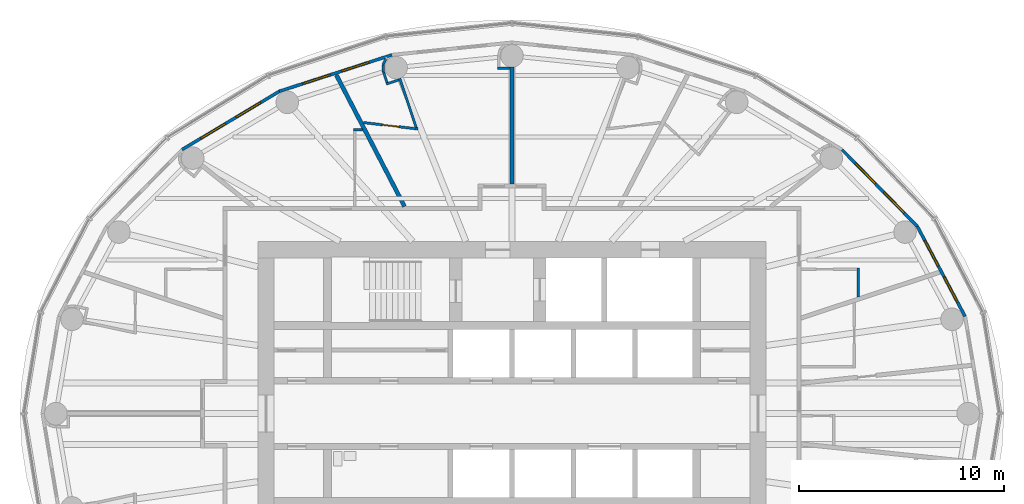
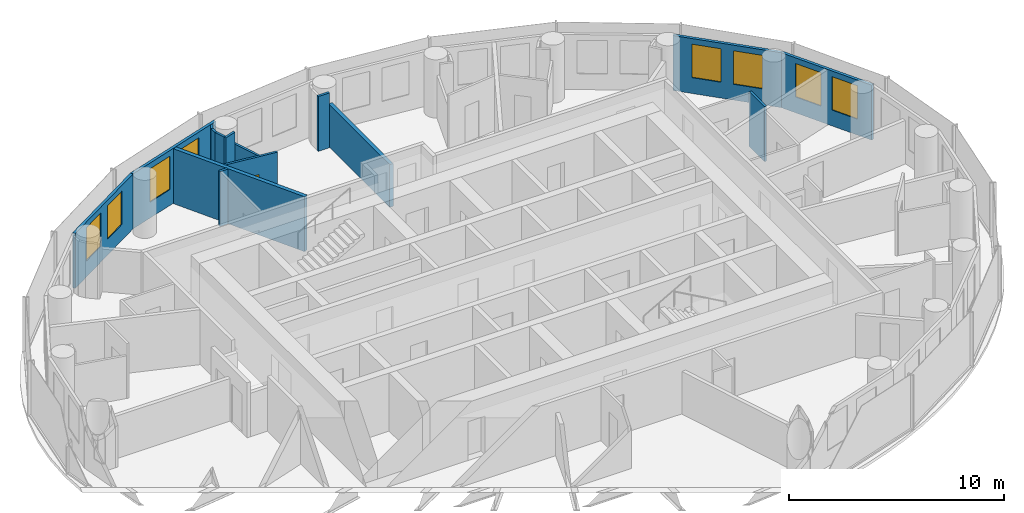
# One storey, part 12 of 16: 15 walls, 8 windows, 1 door, 9 openings.
"""IFC4 building model written with IfcOpenShell, lengths in metres."""

from ifc_helpers import new_model, si_unit, direction, frame, frame_2d, origin, place, context, subcontext, project, spatial, rectangle, extrude, material, layer, layer_set, type_object, element, fill, save


model = new_model("IFC4")

# Units and contexts
model_context = context("Model", 3, precision=1e-05, world=origin(), true_north=direction((0.0, 1.0)))
body_context = subcontext(model_context, "Body", "Model", "MODEL_VIEW")
ifc_project = project(units=[si_unit("LENGTHUNIT", "METRE"), si_unit("AREAUNIT", "SQUARE_METRE"), si_unit("VOLUMEUNIT", "CUBIC_METRE"), si_unit("PLANEANGLEUNIT", "RADIAN"), si_unit("MASSUNIT", "GRAM", prefix="KILO")], contexts=[model_context])

# Site, building, storey
site_placement = place(None, origin())
site = spatial("IfcSite", under=ifc_project, at=site_placement, CompositionType="ELEMENT")
building_placement = place(site_placement, origin())
building = spatial("IfcBuilding", under=site, at=building_placement, Name="Hankou Lantern Tower", CompositionType="ELEMENT")
storey_placement = place(building_placement, frame((0.0, 0.0, 166.5)))
storey = spatial("IfcBuildingStorey", under=building, at=storey_placement, Name="L44", CompositionType="ELEMENT", Elevation=166.5)

# Wall, openings, windows
ifc_material_1 = material(Name="Aluminium spandrel panel on steel studs", Category="steel")
ifc_layer_1 = layer(ifc_material_1, 0.14990234375)
ifc_layer_set_1 = layer_set([ifc_layer_1], Name="Aluminium spandrel panel on steel studs")
wall_type_1 = type_object("IfcWallType", Name="EW1 INNER SKIN WALL 150", PredefinedType="ELEMENTEDWALL", material=ifc_layer_set_1)
wall_1_placement = place(storey_placement, frame((22.1015625, 4.73779296875, 0.0), z_axis=(0.0, 0.0, 1.0), x_axis=(-0.468428906714, 0.883501193748, 0.0)))
wall_1 = element("IfcWall", 1, at=wall_1_placement, inside=storey, type_object=wall_type_1, Name="Inner skin R02-R03 L44", PredefinedType="ELEMENTEDWALL", context=body_context, shape_type="SweptSolid", body=[
    extrude(rectangle(XDim=4.9736328125, YDim=0.14990234375, at=frame_2d((2.48681640625, 0.0))), origin(), (0.0, 0.0, 1.0), 3.1201171875),
])
opening_1_placement = place(wall_1_placement, frame((0.786865234375, 0.0, 0.89990234375)))
opening_1 = element("IfcOpeningElement", 2, at=opening_1_placement, cuts=wall_1, Name="Opening W3", PredefinedType="OPENING", context=body_context, shape_type="SweptSolid", body=[
    extrude(rectangle(XDim=1.39990234375, YDim=1.89990234375, at=frame_2d((0.699951171875, 0.949951171875))), frame((0.0, 0.0849609375, 0.0), z_axis=(0.0, -1.0, 0.0), x_axis=(1.0, 0.0, 0.0)), (0.0, 0.0, 1.0), 0.169921875),
])
opening_2_placement = place(wall_1_placement, frame((2.786865234375, 0.0, 0.89990234375)))
opening_2 = element("IfcOpeningElement", 3, at=opening_2_placement, cuts=wall_1, Name="Opening W3", PredefinedType="OPENING", context=body_context, shape_type="SweptSolid", body=[
    extrude(rectangle(XDim=1.39990234375, YDim=1.89990234375, at=frame_2d((0.699951171875, 0.949951171875))), frame((0.0, 0.0849609375, 0.0), z_axis=(0.0, -1.0, 0.0), x_axis=(1.0, 0.0, 0.0)), (0.0, 0.0, 1.0), 0.169921875),
])
ifc_material_2 = material(Name="Aluminium framed double glazed window", Category="aluminium")
window_type = type_object("IfcWindowType", Name="W3 GUEST ROOM WINDOW 1400X1900", PartitioningType="DOUBLE_PANEL_VERTICAL", PredefinedType="WINDOW", material=ifc_material_2)
window_1_placement = place(opening_1_placement, origin())
window_1 = element("IfcWindow", 4, at=window_1_placement, inside=storey, type_object=window_type, Name="Window R02.1 L44", OverallHeight=1.89990234375, OverallWidth=1.39990234375, PartitioningType="SINGLE_PANEL", PredefinedType="WINDOW", context=body_context, shape_type="SweptSolid", body=[
    extrude(rectangle(XDim=1.39990234375, YDim=1.89990234375, at=frame_2d((0.699951171875, 0.949951171875))), frame((0.0, 0.030029296875, 0.0), z_axis=(0.0, -1.0, 0.0), x_axis=(1.0, 0.0, 0.0)), (0.0, 0.0, 1.0), 0.06005859375),
])
fill(opening_1, window_1)
window_2_placement = place(opening_2_placement, origin())
window_2 = element("IfcWindow", 5, at=window_2_placement, inside=storey, type_object=window_type, Name="Window R02.2 L44", OverallHeight=1.89990234375, OverallWidth=1.39990234375, PartitioningType="SINGLE_PANEL", PredefinedType="WINDOW", context=body_context, shape_type="SweptSolid", body=[
    extrude(rectangle(XDim=1.39990234375, YDim=1.89990234375, at=frame_2d((0.699951171875, 0.949951171875))), frame((0.0, 0.030029296875, 0.0), z_axis=(0.0, -1.0, 0.0), x_axis=(1.0, 0.0, 0.0)), (0.0, 0.0, 1.0), 0.06005859375),
])
fill(opening_2, window_2)

wall_2_placement = place(storey_placement, frame((19.771728515625, 9.132080078125, 0.0), z_axis=(0.0, 0.0, 1.0), x_axis=(-0.700727467776, 0.71342905457, 0.0)))
wall_2 = element("IfcWall", 6, at=wall_2_placement, inside=storey, type_object=wall_type_1, Name="Inner skin R03-R04 L44", PredefinedType="ELEMENTEDWALL", context=body_context, shape_type="SweptSolid", body=[
    extrude(rectangle(XDim=5.247314453125, YDim=0.14990234375, at=frame_2d((2.62353515625, 0.0))), origin(), (0.0, 0.0, 1.0), 3.1201171875),
])
opening_3_placement = place(wall_2_placement, frame((0.923583984375, 0.0, 0.89990234375)))
opening_3 = element("IfcOpeningElement", 7, at=opening_3_placement, cuts=wall_2, Name="Opening W3", PredefinedType="OPENING", context=body_context, shape_type="SweptSolid", body=[
    extrude(rectangle(XDim=1.39990234375, YDim=1.89990234375, at=frame_2d((0.699951171875, 0.949951171875))), frame((0.0, 0.0849609375, 0.0), z_axis=(0.0, -1.0, 0.0), x_axis=(1.0, 0.0, 0.0)), (0.0, 0.0, 1.0), 0.169921875),
])
opening_4_placement = place(wall_2_placement, frame((2.923583984375, 0.0, 0.89990234375)))
opening_4 = element("IfcOpeningElement", 8, at=opening_4_placement, cuts=wall_2, Name="Opening W3", PredefinedType="OPENING", context=body_context, shape_type="SweptSolid", body=[
    extrude(rectangle(XDim=1.39990234375, YDim=1.89990234375, at=frame_2d((0.699951171875, 0.949951171875))), frame((0.0, 0.0849609375, 0.0), z_axis=(0.0, -1.0, 0.0), x_axis=(1.0, 0.0, 0.0)), (0.0, 0.0, 1.0), 0.169921875),
])
window_3_placement = place(opening_3_placement, origin())
window_3 = element("IfcWindow", 9, at=window_3_placement, inside=storey, type_object=window_type, Name="Window R03.1 L44", OverallHeight=1.89990234375, OverallWidth=1.39990234375, PartitioningType="SINGLE_PANEL", PredefinedType="WINDOW", context=body_context, shape_type="SweptSolid", body=[
    extrude(rectangle(XDim=1.39990234375, YDim=1.89990234375, at=frame_2d((0.699951171875, 0.949951171875))), frame((0.0, 0.030029296875, 0.0), z_axis=(0.0, -1.0, 0.0), x_axis=(1.0, 0.0, 0.0)), (0.0, 0.0, 1.0), 0.06005859375),
])
fill(opening_3, window_3)
window_4_placement = place(opening_4_placement, origin())
window_4 = element("IfcWindow", 10, at=window_4_placement, inside=storey, type_object=window_type, Name="Window R03.2 L44", OverallHeight=1.89990234375, OverallWidth=1.39990234375, PartitioningType="SINGLE_PANEL", PredefinedType="WINDOW", context=body_context, shape_type="SweptSolid", body=[
    extrude(rectangle(XDim=1.39990234375, YDim=1.89990234375, at=frame_2d((0.699951171875, 0.949951171875))), frame((0.0, 0.030029296875, 0.0), z_axis=(0.0, -1.0, 0.0), x_axis=(1.0, 0.0, 0.0)), (0.0, 0.0, 1.0), 0.06005859375),
])
fill(opening_4, window_4)

wall_3_placement = place(storey_placement, frame((-5.8603515625, 17.497314453125, 0.0), z_axis=(0.0, 0.0, 1.0), x_axis=(-0.951432482129, -0.307857486429, 0.0)))
wall_3 = element("IfcWall", 11, at=wall_3_placement, inside=storey, type_object=wall_type_1, Name="Inner skin R08-R09 L44", PredefinedType="ELEMENTEDWALL", context=body_context, shape_type="SweptSolid", body=[
    extrude(rectangle(XDim=5.76611328125, YDim=0.14990234375, at=frame_2d((2.883056640625, 0.0))), origin(), (0.0, 0.0, 1.0), 3.1201171875),
])
opening_5_placement = place(wall_3_placement, frame((1.18310546875, 0.0, 0.89990234375)))
opening_5 = element("IfcOpeningElement", 12, at=opening_5_placement, cuts=wall_3, Name="Opening W3", PredefinedType="OPENING", context=body_context, shape_type="SweptSolid", body=[
    extrude(rectangle(XDim=1.39990234375, YDim=1.89990234375, at=frame_2d((0.699951171875, 0.949951171875))), frame((0.0, 0.0849609375, 0.0), z_axis=(0.0, -1.0, 0.0), x_axis=(1.0, 0.0, 0.0)), (0.0, 0.0, 1.0), 0.169921875),
])
opening_6_placement = place(wall_3_placement, frame((3.18310546875, 0.0, 0.89990234375)))
opening_6 = element("IfcOpeningElement", 13, at=opening_6_placement, cuts=wall_3, Name="Opening W3", PredefinedType="OPENING", context=body_context, shape_type="SweptSolid", body=[
    extrude(rectangle(XDim=1.39990234375, YDim=1.89990234375, at=frame_2d((0.699951171875, 0.949951171875))), frame((0.0, 0.0849609375, 0.0), z_axis=(0.0, -1.0, 0.0), x_axis=(1.0, 0.0, 0.0)), (0.0, 0.0, 1.0), 0.169921875),
])
window_5_placement = place(opening_5_placement, origin())
window_5 = element("IfcWindow", 14, at=window_5_placement, inside=storey, type_object=window_type, Name="Window R08.1 L44", OverallHeight=1.89990234375, OverallWidth=1.39990234375, PartitioningType="SINGLE_PANEL", PredefinedType="WINDOW", context=body_context, shape_type="SweptSolid", body=[
    extrude(rectangle(XDim=1.39990234375, YDim=1.89990234375, at=frame_2d((0.699951171875, 0.949951171875))), frame((0.0, 0.030029296875, 0.0), z_axis=(0.0, -1.0, 0.0), x_axis=(1.0, 0.0, 0.0)), (0.0, 0.0, 1.0), 0.06005859375),
])
fill(opening_5, window_5)
window_6_placement = place(opening_6_placement, origin())
window_6 = element("IfcWindow", 15, at=window_6_placement, inside=storey, type_object=window_type, Name="Window R08.2 L44", OverallHeight=1.89990234375, OverallWidth=1.39990234375, PartitioningType="SINGLE_PANEL", PredefinedType="WINDOW", context=body_context, shape_type="SweptSolid", body=[
    extrude(rectangle(XDim=1.39990234375, YDim=1.89990234375, at=frame_2d((0.699951171875, 0.949951171875))), frame((0.0, 0.030029296875, 0.0), z_axis=(0.0, -1.0, 0.0), x_axis=(1.0, 0.0, 0.0)), (0.0, 0.0, 1.0), 0.06005859375),
])
fill(opening_6, window_6)

wall_4_placement = place(storey_placement, frame((-11.346435546875, 15.72216796875, 0.0), z_axis=(0.0, 0.0, 1.0), x_axis=(-0.857695199231, -0.514158482587, 0.0)))
wall_4 = element("IfcWall", 16, at=wall_4_placement, inside=storey, type_object=wall_type_1, Name="Inner skin R09-R10 L44", PredefinedType="ELEMENTEDWALL", context=body_context, shape_type="SweptSolid", body=[
    extrude(rectangle(XDim=5.5361328125, YDim=0.14990234375, at=frame_2d((2.76806640625, 0.0))), origin(), (0.0, 0.0, 1.0), 3.1201171875),
])
opening_7_placement = place(wall_4_placement, frame((1.068115234375, 0.0, 0.89990234375)))
opening_7 = element("IfcOpeningElement", 17, at=opening_7_placement, cuts=wall_4, Name="Opening W3", PredefinedType="OPENING", context=body_context, shape_type="SweptSolid", body=[
    extrude(rectangle(XDim=1.39990234375, YDim=1.89990234375, at=frame_2d((0.699951171875, 0.949951171875))), frame((0.0, 0.0849609375, 0.0), z_axis=(0.0, -1.0, 0.0), x_axis=(1.0, 0.0, 0.0)), (0.0, 0.0, 1.0), 0.169921875),
])
opening_8_placement = place(wall_4_placement, frame((3.068115234375, 0.0, 0.89990234375)))
opening_8 = element("IfcOpeningElement", 18, at=opening_8_placement, cuts=wall_4, Name="Opening W3", PredefinedType="OPENING", context=body_context, shape_type="SweptSolid", body=[
    extrude(rectangle(XDim=1.39990234375, YDim=1.89990234375, at=frame_2d((0.699951171875, 0.949951171875))), frame((0.0, 0.0849609375, 0.0), z_axis=(0.0, -1.0, 0.0), x_axis=(1.0, 0.0, 0.0)), (0.0, 0.0, 1.0), 0.169921875),
])
window_7_placement = place(opening_7_placement, origin())
window_7 = element("IfcWindow", 19, at=window_7_placement, inside=storey, type_object=window_type, Name="Window R09.1 L44", OverallHeight=1.89990234375, OverallWidth=1.39990234375, PartitioningType="SINGLE_PANEL", PredefinedType="WINDOW", context=body_context, shape_type="SweptSolid", body=[
    extrude(rectangle(XDim=1.39990234375, YDim=1.89990234375, at=frame_2d((0.699951171875, 0.949951171875))), frame((0.0, 0.030029296875, 0.0), z_axis=(0.0, -1.0, 0.0), x_axis=(1.0, 0.0, 0.0)), (0.0, 0.0, 1.0), 0.06005859375),
])
fill(opening_7, window_7)
window_8_placement = place(opening_8_placement, origin())
window_8 = element("IfcWindow", 20, at=window_8_placement, inside=storey, type_object=window_type, Name="Window R09.2 L44", OverallHeight=1.89990234375, OverallWidth=1.39990234375, PartitioningType="SINGLE_PANEL", PredefinedType="WINDOW", context=body_context, shape_type="SweptSolid", body=[
    extrude(rectangle(XDim=1.39990234375, YDim=1.89990234375, at=frame_2d((0.699951171875, 0.949951171875))), frame((0.0, 0.030029296875, 0.0), z_axis=(0.0, -1.0, 0.0), x_axis=(1.0, 0.0, 0.0)), (0.0, 0.0, 1.0), 0.06005859375),
])
fill(opening_8, window_8)

# Walls
ifc_material_3 = material(Name="Masonry lightweight concrete block", Category="masonry")
ifc_layer_2 = layer(ifc_material_3, 0.199951171875)
ifc_layer_set_2 = layer_set([ifc_layer_2], Name="Masonry lightweight concrete block")
wall_type_2 = type_object("IfcWallType", Name="IW1 GUEST ROOM PARTY WALL 200", PredefinedType="PARTITIONING", material=ifc_layer_set_2)
wall_5_placement = place(storey_placement, frame((0.0, 11.199951171875, 0.0), z_axis=(0.0, 0.0, 1.0), x_axis=(0.0, 1.0, 0.0)))
element("IfcWall", 21, at=wall_5_placement, inside=storey, type_object=wall_type_2, Name="Party wall R07", PredefinedType="PARTITIONING", context=body_context, shape_type="SweptSolid", body=[
    extrude(rectangle(XDim=5.699951171875, YDim=0.199951171875, at=frame_2d((2.85009765625, 0.0))), origin(), (0.0, 0.0, 1.0), 2.419921875),
])
wall_6_placement = place(storey_placement, frame((-5.239990234375, 10.10009765625, 0.0), z_axis=(0.0, 0.0, 1.0), x_axis=(-0.460532965373, 0.887642601391, 0.0)))
element("IfcWall", 22, at=wall_6_placement, inside=storey, type_object=wall_type_2, Name="Party wall R08-R09", PredefinedType="PARTITIONING", context=body_context, shape_type="SweptSolid", body=[
    extrude(rectangle(XDim=7.2314453125, YDim=0.199951171875, at=frame_2d((3.61572265625, 0.0))), origin(), (0.0, 0.0, 1.0), 3.1201171875),
])
ifc_material_4 = material(Name="Masonry lightweight concrete block", Category="masonry")
ifc_layer_3 = layer(ifc_material_4, 0.1201171875)
ifc_layer_set_3 = layer_set([ifc_layer_3], Name="Masonry lightweight concrete block")
wall_type_3 = type_object("IfcWallType", Name="IW3 BATHROOM WALL 120", PredefinedType="PARTITIONING", material=ifc_layer_set_3)
wall_7_placement = place(storey_placement, frame((16.89990234375, 5.687255859375, 0.0), z_axis=(0.0, 0.0, 1.0), x_axis=(0.0, 1.0, 0.0)))
element("IfcWall", 23, at=wall_7_placement, inside=storey, type_object=wall_type_3, Name="Box wall 4406 1", PredefinedType="PARTITIONING", context=body_context, shape_type="SweptSolid", body=[
    extrude(rectangle(XDim=1.414306640625, YDim=0.1201171875, at=frame_2d((0.70703125, 0.0))), origin(), (0.0, 0.0, 1.0), 3.1201171875),
])

# Wall, opening, door
wall_8_placement = place(storey_placement, frame((-7.2529296875, 14.197021484375, 0.0), z_axis=(0.0, 0.0, 1.0), x_axis=(0.993128188393, -0.117031625725, 0.0)))
wall_8 = element("IfcWall", 24, at=wall_8_placement, inside=storey, type_object=wall_type_3, Name="Box wall 4409 1", PredefinedType="PARTITIONING", context=body_context, shape_type="SweptSolid", body=[
    extrude(rectangle(XDim=2.678466796875, YDim=0.1201171875, at=frame_2d((1.33935546875, 0.0))), origin(), (0.0, 0.0, 1.0), 3.1201171875),
])
opening_9_placement = place(wall_8_placement, frame((0.939208984375, 0.0, 0.0)))
opening_9 = element("IfcOpeningElement", 25, at=opening_9_placement, cuts=wall_8, Name="Opening D3", PredefinedType="OPENING", context=body_context, shape_type="SweptSolid", body=[
    extrude(rectangle(XDim=0.800048828125, YDim=2.10009765625, at=frame_2d((0.39990234375, 1.050048828125))), frame((0.0, 0.070068359375, 0.0), z_axis=(0.0, -1.0, 0.0), x_axis=(1.0, 0.0, 0.0)), (0.0, 0.0, 1.0), 0.14013671875),
])
ifc_material_5 = material(Name="Timber door leaf", Category="wood")
door_type = type_object("IfcDoorType", Name="D3 BATHROOM DOOR 800X2100", OperationType="SINGLE_SWING_LEFT", PredefinedType="DOOR", material=ifc_material_5)
door_placement = place(opening_9_placement, origin())
door = element("IfcDoor", 26, at=door_placement, inside=storey, type_object=door_type, Name="En-suite bathroom 4409 door", OperationType="SINGLE_SWING_RIGHT", OverallHeight=2.10009765625, OverallWidth=0.800048828125, PredefinedType="DOOR", context=body_context, shape_type="SweptSolid", body=[
    extrude(rectangle(XDim=0.800048828125, YDim=2.10009765625, at=frame_2d((0.39990234375, 1.050048828125))), frame((0.0, 0.02490234375, 0.0), z_axis=(0.0, -1.0, 0.0), x_axis=(1.0, 0.0, 0.0)), (0.0, 0.0, 1.0), 0.050048828125),
])
fill(opening_9, door)

# Walls
wall_9_placement = place(storey_placement, frame((-4.67138671875, 13.947509765625, 0.0), z_axis=(0.0, 0.0, 1.0), x_axis=(-0.317669167093, 0.948201613729, 0.0)))
element("IfcWall", 27, at=wall_9_placement, inside=storey, type_object=wall_type_3, Name="Box wall 4409 2", PredefinedType="PARTITIONING", context=body_context, shape_type="SweptSolid", body=[
    extrude(rectangle(XDim=2.5400390625, YDim=0.1201171875, at=frame_2d((1.27001953125, 0.0))), origin(), (0.0, 0.0, 1.0), 2.419921875),
])
wall_10_placement = place(storey_placement, frame((-5.51611328125, 16.280029296875, 0.0), z_axis=(0.0, 0.0, 1.0), x_axis=(-0.948157944392, -0.317799484717, 0.0)))
element("IfcWall", 28, at=wall_10_placement, inside=storey, type_object=wall_type_3, Name="Column casing 4409 return", PredefinedType="PARTITIONING", context=body_context, shape_type="SweptSolid", body=[
    extrude(rectangle(XDim=0.652099609375, YDim=0.1201171875, at=frame_2d((0.326171875, 0.0))), origin(), (0.0, 0.0, 1.0), 3.1201171875),
])
wall_11_placement = place(storey_placement, frame((-6.0966796875, 16.148681640625, 0.0), z_axis=(0.0, 0.0, 1.0), x_axis=(-0.317292604854, 0.948327687514, 0.0)))
element("IfcWall", 29, at=wall_11_placement, inside=storey, type_object=wall_type_3, Name="Column casing 4409", PredefinedType="PARTITIONING", context=body_context, shape_type="SweptSolid", body=[
    extrude(rectangle(XDim=0.550048828125, YDim=0.1201171875, at=frame_2d((0.27490234375, 0.0))), origin(), (0.0, 0.0, 1.0), 3.1201171875),
])
for number, where, z_axis, x_axis, name in (
    (30, (-6.271240234375, 16.67041015625, 0.0), (0.0, 0.0, 1.0), (-0.061477694849, 0.998108457552, 0.0), "Column casing 4409"),
    (31, (-6.2919921875, 17.00732421875, 0.0), (0.0, 0.0, 1.0), (0.445477128334, 0.895293319606, 0.0), "Column casing 4409"),
):
    element("IfcWall", number, at=place(storey_placement, frame(where, z_axis=z_axis, x_axis=x_axis)), inside=storey, type_object=wall_type_3, Name=name, PredefinedType="PARTITIONING", context=body_context, shape_type="SweptSolid", body=[
        extrude(rectangle(XDim=0.337646484375, YDim=0.1201171875, at=frame_2d((0.1689453125, 0.0))), origin(), (0.0, 0.0, 1.0), 3.1201171875),
    ])
wall_12_placement = place(storey_placement, frame((-7.28564453125, 13.85009765625, 0.0), z_axis=(0.0, 0.0, 1.0), x_axis=(-1.0, 0.0, 0.0)))
element("IfcWall", 32, at=wall_12_placement, inside=storey, type_object=wall_type_3, Name="Box wall 4410 1", PredefinedType="PARTITIONING", context=body_context, shape_type="SweptSolid", body=[
    extrude(rectangle(XDim=0.4443359375, YDim=0.1201171875, at=frame_2d((0.22216796875, 0.0))), origin(), (0.0, 0.0, 1.0), 3.1201171875),
])
ifc_material_6 = material(Name="Masonry lightweight concrete block", Category="masonry")
ifc_layer_4 = layer(ifc_material_6, 0.1201171875)
ifc_layer_set_4 = layer_set([ifc_layer_4], Name="Masonry lightweight concrete block")
wall_type_4 = type_object("IfcWallType", Name="IW4 PARTITION 120", PredefinedType="PARTITIONING", material=ifc_layer_set_4)
wall_13_placement = place(storey_placement, frame((-0.10009765625, 16.840087890625, 0.0), z_axis=(0.0, 0.0, 1.0), x_axis=(-1.0, 0.0, 0.0)))
element("IfcWall", 33, at=wall_13_placement, inside=storey, type_object=wall_type_4, Name="Column casing R07 return", PredefinedType="PARTITIONING", context=body_context, shape_type="SweptSolid", body=[
    extrude(rectangle(XDim=0.612060546875, YDim=0.1201171875, at=frame_2d((0.30615234375, 0.0))), origin(), (0.0, 0.0, 1.0), 3.1201171875),
])

save(model, "model.ifc")
